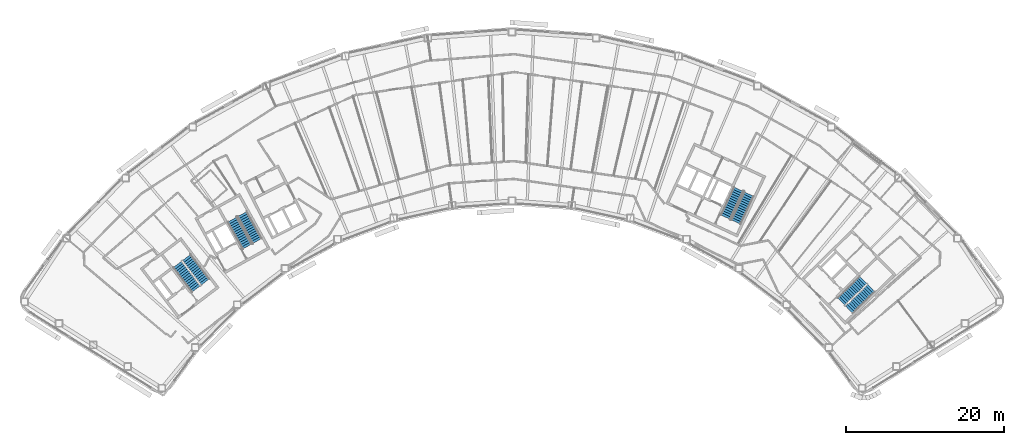
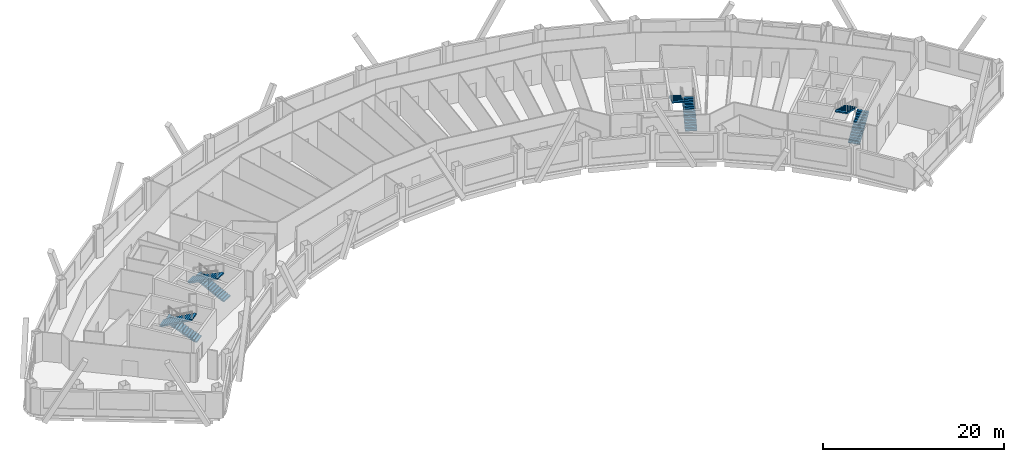
# One storey, part 13 of 15: 8 stair flights, 4 elements without a shape of their own.
"""IFC4 building model written with IfcOpenShell, lengths in metres."""

from ifc_helpers import new_model, si_unit, direction, frame, origin, place, context, subcontext, project, spatial, polyline, outline, extrude, material, type_object, element, aggregate, save


model = new_model("IFC4")

# Units and contexts
model_context = context("Model", 3, precision=1e-05, world=origin(), true_north=direction((0.0, 1.0)))
body_context = subcontext(model_context, "Body", "Model", "MODEL_VIEW")
ifc_project = project(units=[si_unit("LENGTHUNIT", "METRE"), si_unit("AREAUNIT", "SQUARE_METRE"), si_unit("VOLUMEUNIT", "CUBIC_METRE"), si_unit("PLANEANGLEUNIT", "RADIAN"), si_unit("MASSUNIT", "GRAM", prefix="KILO")], contexts=[model_context])

# Site, building, storey
site_placement = place(None, origin())
site = spatial("IfcSite", under=ifc_project, at=site_placement, CompositionType="ELEMENT")
building_placement = place(site_placement, origin())
building = spatial("IfcBuilding", under=site, at=building_placement, Name="Tuul Gate Civic Tower", CompositionType="ELEMENT")
storey_placement = place(building_placement, frame((0.0, 0.0, 226.300048828125)))
storey = spatial("IfcBuildingStorey", under=building, at=storey_placement, Name="Level 51", CompositionType="ELEMENT", Elevation=226.300048828125)

# Stair, stair flights
ifc_material_1 = material(Name="Concrete C40/50", Category="concrete")
stair_type = type_object("IfcStairType", Name="Exit stair", PredefinedType="HALF_TURN_STAIR", material=ifc_material_1)
stair_1_placement = place(storey_placement, origin())
stair_1 = element("IfcStair", 1, at=stair_1_placement, inside=storey, type_object=stair_type, Name="Level 51 ST-1", PredefinedType="HALF_TURN_STAIR")
ifc_material_2 = material(Name="Concrete C40/50", Category="concrete")
stair_flight_type = type_object("IfcStairFlightType", Name="Exit stair flight", PredefinedType="STRAIGHT", material=ifc_material_2)
stair_flight_1_placement = place(storey_placement, frame((-32.875244140625, -13.066650390625, 0.0), z_axis=(0.0, 0.0, 1.0), x_axis=(-0.605764474941, 0.795644016442, 0.0)))
stair_flight_1 = element("IfcStairFlight", 2, at=stair_flight_1_placement, type_object=stair_flight_type, Name="ST-1 flight 1", NumberOfRisers=14, NumberOfTreads=13, PredefinedType="STRAIGHT", RiserHeight=0.15, TreadLength=0.3, context=body_context, shape_type="SweptSolid", body=[
    extrude(outline(polyline([(0.0, 0.0), (0.0, 0.14990234375), (0.300048828125, 0.14990234375), (0.300048828125, 0.300048828125), (0.60009765625, 0.300048828125), (0.60009765625, 0.449951171875), (0.89990234375, 0.449951171875), (0.89990234375, 0.60009765625), (1.199951171875, 0.60009765625), (1.199951171875, 0.75), (1.5, 0.75), (1.5, 0.89990234375), (1.800048828125, 0.89990234375), (1.800048828125, 1.050048828125), (2.10009765625, 1.050048828125), (2.10009765625, 1.199951171875), (2.39990234375, 1.199951171875), (2.39990234375, 1.35009765625), (2.699951171875, 1.35009765625), (2.699951171875, 1.5), (3.0, 1.5), (3.0, 1.64990234375), (3.300048828125, 1.64990234375), (3.300048828125, 1.800048828125), (3.60009765625, 1.800048828125), (3.60009765625, 1.949951171875), (3.89990234375, 1.949951171875), (3.89990234375, 2.10009765625), (3.89990234375, 1.782470703125), (0.335205078125, 0.0), (0.0, 0.0)])), frame((0.0, 0.675048828125, 0.0), z_axis=(0.0, -1.0, 0.0), x_axis=(1.0, 0.0, 0.0)), (0.0, 0.0, 1.0), 1.35009765625),
])
stair_flight_2_placement = place(storey_placement, frame((-36.391357421875, -10.842041015625, 2.099853515625), z_axis=(0.0, 0.0, 1.0), x_axis=(0.605764474941, -0.795644016442, 0.0)))
stair_flight_2 = element("IfcStairFlight", 3, at=stair_flight_2_placement, type_object=stair_flight_type, Name="ST-1 flight 2", NumberOfRisers=14, NumberOfTreads=13, PredefinedType="STRAIGHT", RiserHeight=0.15, TreadLength=0.3, context=body_context, shape_type="SweptSolid", body=[
    extrude(outline(polyline([(0.0, 0.0), (0.0, 0.14990234375), (0.300048828125, 0.14990234375), (0.300048828125, 0.300048828125), (0.60009765625, 0.300048828125), (0.60009765625, 0.449951171875), (0.89990234375, 0.449951171875), (0.89990234375, 0.60009765625), (1.199951171875, 0.60009765625), (1.199951171875, 0.75), (1.5, 0.75), (1.5, 0.89990234375), (1.800048828125, 0.89990234375), (1.800048828125, 1.050048828125), (2.10009765625, 1.050048828125), (2.10009765625, 1.199951171875), (2.39990234375, 1.199951171875), (2.39990234375, 1.35009765625), (2.699951171875, 1.35009765625), (2.699951171875, 1.5), (3.0, 1.5), (3.0, 1.64990234375), (3.300048828125, 1.64990234375), (3.300048828125, 1.800048828125), (3.60009765625, 1.800048828125), (3.60009765625, 1.949951171875), (3.89990234375, 1.949951171875), (3.89990234375, 2.10009765625), (3.89990234375, 1.782470703125), (0.335205078125, 0.0), (0.0, 0.0)])), frame((0.0, 0.675048828125, 0.0), z_axis=(0.0, -1.0, 0.0), x_axis=(1.0, 0.0, 0.0)), (0.0, 0.0, 1.0), 1.35009765625),
])
aggregate(stair_1, [stair_flight_1, stair_flight_2])

stair_2_placement = place(storey_placement, origin())
stair_2 = element("IfcStair", 4, at=stair_2_placement, inside=storey, type_object=stair_type, Name="Level 51 ST-2", PredefinedType="HALF_TURN_STAIR")
stair_flight_3_placement = place(storey_placement, frame((-26.29150390625, -7.87646484375, 0.0), z_axis=(0.0, 0.0, 1.0), x_axis=(-0.484761763766, 0.874646232708, 0.0)))
stair_flight_3 = element("IfcStairFlight", 5, at=stair_flight_3_placement, type_object=stair_flight_type, Name="ST-2 flight 1", NumberOfRisers=14, NumberOfTreads=13, PredefinedType="STRAIGHT", RiserHeight=0.15, TreadLength=0.3, context=body_context, shape_type="SweptSolid", body=[
    extrude(outline(polyline([(0.0, 0.0), (0.0, 0.14990234375), (0.300048828125, 0.14990234375), (0.300048828125, 0.300048828125), (0.60009765625, 0.300048828125), (0.60009765625, 0.449951171875), (0.89990234375, 0.449951171875), (0.89990234375, 0.60009765625), (1.199951171875, 0.60009765625), (1.199951171875, 0.75), (1.5, 0.75), (1.5, 0.89990234375), (1.800048828125, 0.89990234375), (1.800048828125, 1.050048828125), (2.10009765625, 1.050048828125), (2.10009765625, 1.199951171875), (2.39990234375, 1.199951171875), (2.39990234375, 1.35009765625), (2.699951171875, 1.35009765625), (2.699951171875, 1.5), (3.0, 1.5), (3.0, 1.64990234375), (3.300048828125, 1.64990234375), (3.300048828125, 1.800048828125), (3.60009765625, 1.800048828125), (3.60009765625, 1.949951171875), (3.89990234375, 1.949951171875), (3.89990234375, 2.10009765625), (3.89990234375, 1.782470703125), (0.335205078125, 0.0), (0.0, 0.0)])), frame((0.0, 0.675048828125, 0.0), z_axis=(0.0, -1.0, 0.0), x_axis=(1.0, 0.0, 0.0)), (0.0, 0.0, 1.0), 1.35009765625),
])
stair_flight_4_placement = place(storey_placement, frame((-29.450439453125, -5.168212890625, 2.099853515625), z_axis=(0.0, 0.0, 1.0), x_axis=(0.484761763766, -0.874646232708, 0.0)))
stair_flight_4 = element("IfcStairFlight", 6, at=stair_flight_4_placement, type_object=stair_flight_type, Name="ST-2 flight 2", NumberOfRisers=14, NumberOfTreads=13, PredefinedType="STRAIGHT", RiserHeight=0.15, TreadLength=0.3, context=body_context, shape_type="SweptSolid", body=[
    extrude(outline(polyline([(0.0, 0.0), (0.0, 0.14990234375), (0.300048828125, 0.14990234375), (0.300048828125, 0.300048828125), (0.60009765625, 0.300048828125), (0.60009765625, 0.449951171875), (0.89990234375, 0.449951171875), (0.89990234375, 0.60009765625), (1.199951171875, 0.60009765625), (1.199951171875, 0.75), (1.5, 0.75), (1.5, 0.89990234375), (1.800048828125, 0.89990234375), (1.800048828125, 1.050048828125), (2.10009765625, 1.050048828125), (2.10009765625, 1.199951171875), (2.39990234375, 1.199951171875), (2.39990234375, 1.35009765625), (2.699951171875, 1.35009765625), (2.699951171875, 1.5), (3.0, 1.5), (3.0, 1.64990234375), (3.300048828125, 1.64990234375), (3.300048828125, 1.800048828125), (3.60009765625, 1.800048828125), (3.60009765625, 1.949951171875), (3.89990234375, 1.949951171875), (3.89990234375, 2.10009765625), (3.89990234375, 1.782470703125), (0.335205078125, 0.0), (0.0, 0.0)])), frame((0.0, 0.675048828125, 0.0), z_axis=(0.0, -1.0, 0.0), x_axis=(1.0, 0.0, 0.0)), (0.0, 0.0, 1.0), 1.35009765625),
])
aggregate(stair_2, [stair_flight_3, stair_flight_4])

stair_3_placement = place(storey_placement, origin())
stair_3 = element("IfcStair", 7, at=stair_3_placement, inside=storey, type_object=stair_type, Name="Level 51 ST-3", PredefinedType="HALF_TURN_STAIR")
stair_flight_5_placement = place(storey_placement, frame((48.61376953125, -16.581787109375, 0.0), z_axis=(0.0, 0.0, 1.0), x_axis=(0.714127290059, 0.700015866672, 0.0)))
stair_flight_5 = element("IfcStairFlight", 8, at=stair_flight_5_placement, type_object=stair_flight_type, Name="ST-3 flight 1", NumberOfRisers=14, NumberOfTreads=13, PredefinedType="STRAIGHT", RiserHeight=0.15, TreadLength=0.3, context=body_context, shape_type="SweptSolid", body=[
    extrude(outline(polyline([(0.0, 0.0), (0.0, 0.14990234375), (0.300048828125, 0.14990234375), (0.300048828125, 0.300048828125), (0.60009765625, 0.300048828125), (0.60009765625, 0.449951171875), (0.89990234375, 0.449951171875), (0.89990234375, 0.60009765625), (1.199951171875, 0.60009765625), (1.199951171875, 0.75), (1.5, 0.75), (1.5, 0.89990234375), (1.800048828125, 0.89990234375), (1.800048828125, 1.050048828125), (2.10009765625, 1.050048828125), (2.10009765625, 1.199951171875), (2.39990234375, 1.199951171875), (2.39990234375, 1.35009765625), (2.699951171875, 1.35009765625), (2.699951171875, 1.5), (3.0, 1.5), (3.0, 1.64990234375), (3.300048828125, 1.64990234375), (3.300048828125, 1.800048828125), (3.60009765625, 1.800048828125), (3.60009765625, 1.949951171875), (3.89990234375, 1.949951171875), (3.89990234375, 2.10009765625), (3.89990234375, 1.782470703125), (0.335205078125, 0.0), (0.0, 0.0)])), frame((0.0, 0.675048828125, 0.0), z_axis=(0.0, -1.0, 0.0), x_axis=(1.0, 0.0, 0.0)), (0.0, 0.0, 1.0), 1.35009765625),
])
stair_flight_6_placement = place(storey_placement, frame((50.3837890625, -12.816162109375, 2.099853515625), z_axis=(0.0, 0.0, 1.0), x_axis=(-0.714127290059, -0.700015866672, 0.0)))
stair_flight_6 = element("IfcStairFlight", 9, at=stair_flight_6_placement, type_object=stair_flight_type, Name="ST-3 flight 2", NumberOfRisers=14, NumberOfTreads=13, PredefinedType="STRAIGHT", RiserHeight=0.15, TreadLength=0.3, context=body_context, shape_type="SweptSolid", body=[
    extrude(outline(polyline([(0.0, 0.0), (0.0, 0.14990234375), (0.300048828125, 0.14990234375), (0.300048828125, 0.300048828125), (0.60009765625, 0.300048828125), (0.60009765625, 0.449951171875), (0.89990234375, 0.449951171875), (0.89990234375, 0.60009765625), (1.199951171875, 0.60009765625), (1.199951171875, 0.75), (1.5, 0.75), (1.5, 0.89990234375), (1.800048828125, 0.89990234375), (1.800048828125, 1.050048828125), (2.10009765625, 1.050048828125), (2.10009765625, 1.199951171875), (2.39990234375, 1.199951171875), (2.39990234375, 1.35009765625), (2.699951171875, 1.35009765625), (2.699951171875, 1.5), (3.0, 1.5), (3.0, 1.64990234375), (3.300048828125, 1.64990234375), (3.300048828125, 1.800048828125), (3.60009765625, 1.800048828125), (3.60009765625, 1.949951171875), (3.89990234375, 1.949951171875), (3.89990234375, 2.10009765625), (3.89990234375, 1.782470703125), (0.335205078125, 0.0), (0.0, 0.0)])), frame((0.0, 0.675048828125, 0.0), z_axis=(0.0, -1.0, 0.0), x_axis=(1.0, 0.0, 0.0)), (0.0, 0.0, 1.0), 1.35009765625),
])
aggregate(stair_3, [stair_flight_5, stair_flight_6])

stair_4_placement = place(storey_placement, origin())
stair_4 = element("IfcStair", 10, at=stair_4_placement, inside=storey, type_object=stair_type, Name="Level 51 ST-4", PredefinedType="HALF_TURN_STAIR")
stair_flight_7_placement = place(storey_placement, frame((34.278564453125, -5.478515625, 0.0), z_axis=(0.0, 0.0, 1.0), x_axis=(0.422576295988, 0.906327354806, 0.0)))
stair_flight_7 = element("IfcStairFlight", 11, at=stair_flight_7_placement, type_object=stair_flight_type, Name="ST-4 flight 1", NumberOfRisers=14, NumberOfTreads=13, PredefinedType="STRAIGHT", RiserHeight=0.15, TreadLength=0.3, context=body_context, shape_type="SweptSolid", body=[
    extrude(outline(polyline([(0.0, 0.0), (0.0, 0.14990234375), (0.300048828125, 0.14990234375), (0.300048828125, 0.300048828125), (0.60009765625, 0.300048828125), (0.60009765625, 0.449951171875), (0.89990234375, 0.449951171875), (0.89990234375, 0.60009765625), (1.199951171875, 0.60009765625), (1.199951171875, 0.75), (1.5, 0.75), (1.5, 0.89990234375), (1.800048828125, 0.89990234375), (1.800048828125, 1.050048828125), (2.10009765625, 1.050048828125), (2.10009765625, 1.199951171875), (2.39990234375, 1.199951171875), (2.39990234375, 1.35009765625), (2.699951171875, 1.35009765625), (2.699951171875, 1.5), (3.0, 1.5), (3.0, 1.64990234375), (3.300048828125, 1.64990234375), (3.300048828125, 1.800048828125), (3.60009765625, 1.800048828125), (3.60009765625, 1.949951171875), (3.89990234375, 1.949951171875), (3.89990234375, 2.10009765625), (3.89990234375, 1.782470703125), (0.335205078125, 0.0), (0.0, 0.0)])), frame((0.0, 0.675048828125, 0.0), z_axis=(0.0, -1.0, 0.0), x_axis=(1.0, 0.0, 0.0)), (0.0, 0.0, 1.0), 1.35009765625),
])
stair_flight_8_placement = place(storey_placement, frame((34.612548828125, -1.3310546875, 2.099853515625), z_axis=(0.0, 0.0, 1.0), x_axis=(-0.422576295988, -0.906327354806, 0.0)))
stair_flight_8 = element("IfcStairFlight", 12, at=stair_flight_8_placement, type_object=stair_flight_type, Name="ST-4 flight 2", NumberOfRisers=14, NumberOfTreads=13, PredefinedType="STRAIGHT", RiserHeight=0.15, TreadLength=0.3, context=body_context, shape_type="SweptSolid", body=[
    extrude(outline(polyline([(0.0, 0.0), (0.0, 0.14990234375), (0.300048828125, 0.14990234375), (0.300048828125, 0.300048828125), (0.60009765625, 0.300048828125), (0.60009765625, 0.449951171875), (0.89990234375, 0.449951171875), (0.89990234375, 0.60009765625), (1.199951171875, 0.60009765625), (1.199951171875, 0.75), (1.5, 0.75), (1.5, 0.89990234375), (1.800048828125, 0.89990234375), (1.800048828125, 1.050048828125), (2.10009765625, 1.050048828125), (2.10009765625, 1.199951171875), (2.39990234375, 1.199951171875), (2.39990234375, 1.35009765625), (2.699951171875, 1.35009765625), (2.699951171875, 1.5), (3.0, 1.5), (3.0, 1.64990234375), (3.300048828125, 1.64990234375), (3.300048828125, 1.800048828125), (3.60009765625, 1.800048828125), (3.60009765625, 1.949951171875), (3.89990234375, 1.949951171875), (3.89990234375, 2.10009765625), (3.89990234375, 1.782470703125), (0.335205078125, 0.0), (0.0, 0.0)])), frame((0.0, 0.675048828125, 0.0), z_axis=(0.0, -1.0, 0.0), x_axis=(1.0, 0.0, 0.0)), (0.0, 0.0, 1.0), 1.35009765625),
])
aggregate(stair_4, [stair_flight_7, stair_flight_8])

save(model, "model.ifc")
